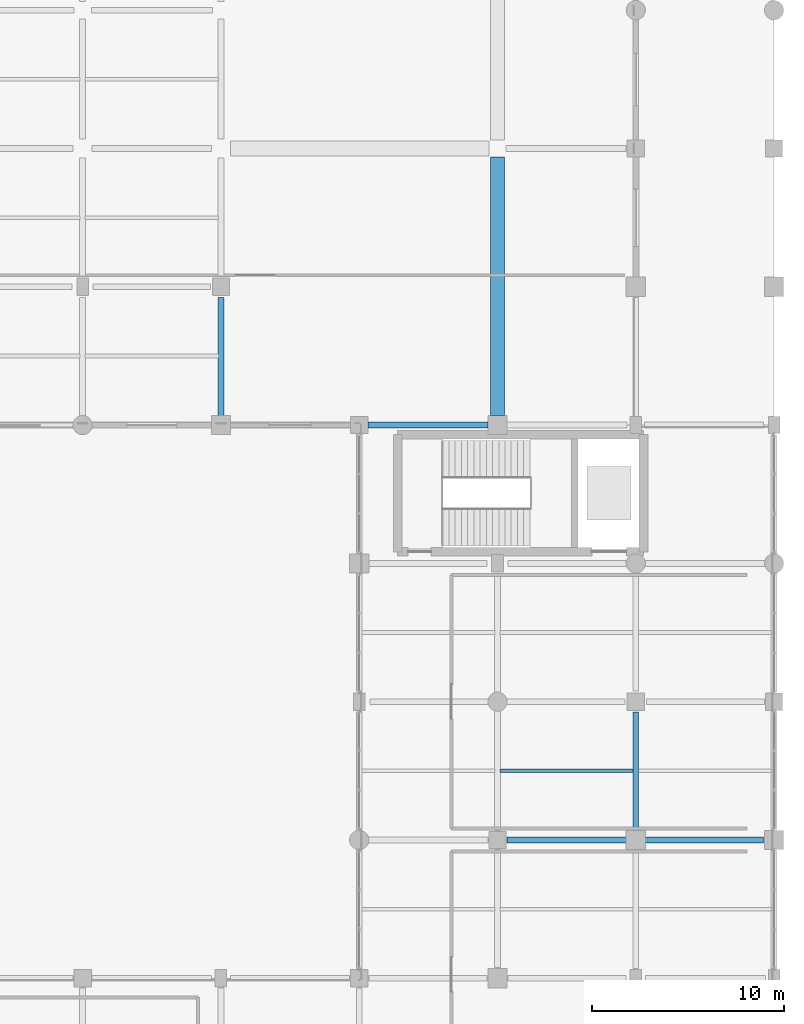
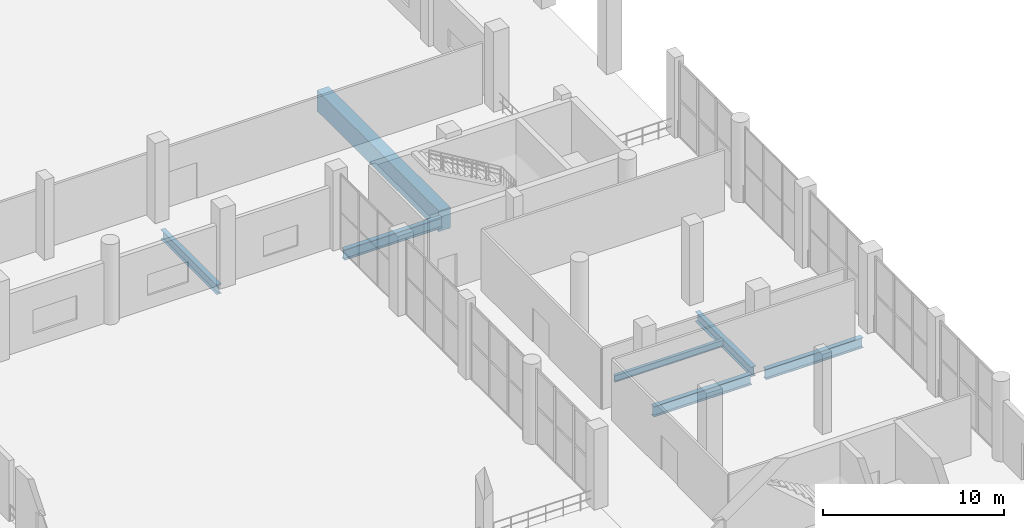
# One storey, part 23 of 58: 7 beams.
"""IFC4 building model written with IfcOpenShell, lengths in metres."""

import ifcopenshell
import ifcopenshell.guid

model = None  # the IFC model being written
_history = None  # IfcOwnerHistory: only IFC2X3 demands one
_inside = {}  # id of a spatial element -> (the spatial element, [elements in it])
_under = {}  # id of a project, library or spatial element -> (it, [spatial elements below it])
_declared = {}  # id of a project -> (the project, [libraries it declares])
_typed = {}  # id of a type object -> (the type object, [elements of that type])
_made_of = {}  # id of a material, layer set ... -> (it, [elements and type objects made of it])


def new_model(schema):
    """Start an empty IFC model of exactly this schema.

    Asked for "IFC4X3", IfcOpenShell would pick the latest addendum, in which some entities
    have other attributes; the version numbers below select the first issue.
    IFC2X3 requires an IfcOwnerHistory on every rooted entity: one is made here for all.
    """
    global model, _history
    if schema == "IFC4X3":
        model = ifcopenshell.file(schema_version=(4, 3, 0, 0))
    else:
        model = ifcopenshell.file(schema=schema)
    _inside.clear()
    _under.clear()
    _declared.clear()
    _typed.clear()
    _made_of.clear()
    _history = None
    if model.schema == "IFC2X3":
        org = make("IfcOrganization", Name="unknown")
        user = make(
            "IfcPersonAndOrganization",
            ThePerson=make("IfcPerson", FamilyName="unknown"),
            TheOrganization=org,
        )
        app = make(
            "IfcApplication",
            ApplicationDeveloper=org,
            Version="unknown",
            ApplicationFullName="unknown",
            ApplicationIdentifier="unknown",
        )
        _history = make(
            "IfcOwnerHistory",
            OwningUser=user,
            OwningApplication=app,
            ChangeAction="ADDED",
            CreationDate=0,
        )
    return model


def make(cls, **values):
    """One entity of the class cls with the attributes given. An attribute that is None is left unset."""
    return model.create_entity(
        cls, **{name: value for name, value in values.items() if value is not None}
    )


def rooted(cls, **values):
    """An entity with a GlobalId (a new one), such as an element, a storey or a relation."""
    return make(cls, GlobalId=ifcopenshell.guid.new(), OwnerHistory=_history, **values)


def si_unit(unit_type, name, prefix=None):
    """IfcSIUnit, for example si_unit("LENGTHUNIT", "METRE", prefix="MILLI")."""
    return make("IfcSIUnit", UnitType=unit_type, Prefix=prefix, Name=name)


def assignment(units):
    """IfcUnitAssignment: the units of a project."""
    return None if units is None else make("IfcUnitAssignment", Units=units)


def point(xyz):
    """IfcCartesianPoint."""
    return None if xyz is None else make("IfcCartesianPoint", Coordinates=xyz)


def direction(xyz):
    """IfcDirection."""
    return None if xyz is None else make("IfcDirection", DirectionRatios=xyz)


def frame(location, z_axis=None, x_axis=None):
    """IfcAxis2Placement3D, a coordinate frame: its origin and axes. An axis left out is left unset."""
    return make(
        "IfcAxis2Placement3D",
        Location=point(location),
        Axis=direction(z_axis),
        RefDirection=direction(x_axis),
    )


def frame_2d(location, x_axis=None):
    """IfcAxis2Placement2D, a coordinate frame in the plane: its origin and x axis."""
    return make(
        "IfcAxis2Placement2D", Location=point(location), RefDirection=direction(x_axis)
    )


def origin():
    """The frame at (0, 0, 0) with its axes left unset."""
    return frame((0.0, 0.0, 0.0))


def origin_2d():
    """The frame at (0, 0) in the plane with its x axis left unset."""
    return frame_2d((0.0, 0.0))


def place(relative_to, where):
    """IfcLocalPlacement: puts the frame where relative to a parent placement (None: the world)."""
    return make(
        "IfcLocalPlacement", PlacementRelTo=relative_to, RelativePlacement=where
    )


def context(
    kind, dimensions, precision=None, world=None, true_north=None, identifier=None
):
    """IfcGeometricRepresentationContext, for example the 3D "Model" context."""
    return make(
        "IfcGeometricRepresentationContext",
        ContextIdentifier=identifier,
        ContextType=kind,
        CoordinateSpaceDimension=dimensions,
        Precision=precision,
        WorldCoordinateSystem=world,
        TrueNorth=true_north,
    )


def subcontext(parent, identifier, kind, view, scale=None):
    """IfcGeometricRepresentationSubContext, for example "Body" below "Model"."""
    return make(
        "IfcGeometricRepresentationSubContext",
        ContextIdentifier=identifier,
        ContextType=kind,
        ParentContext=parent,
        TargetScale=scale,
        TargetView=view,
    )


def project(units=None, contexts=None):
    """IfcProject with its units and contexts."""
    return rooted(
        "IfcProject",
        Name="project",
        RepresentationContexts=contexts,
        UnitsInContext=assignment(units),
    )


def spatial(cls, under=None, at=None, **own):
    """A site, building, storey or space (cls), placed at a placement, below another one or the project."""
    s = rooted(cls, ObjectPlacement=at, **own)
    if under is not None:
        _under.setdefault(under.id(), (under, []))[1].append(s)
    return s


def profile(cls, at=None, kind="AREA", **sizes):
    """A parametric profile (cls). Its sizes go by their IFC names, for example OverallWidth=200.0."""
    return make(cls, ProfileType=kind, Position=at, **sizes)


def rectangle(**sizes):
    """IfcRectangleProfileDef."""
    return profile("IfcRectangleProfileDef", **sizes)


def i_section(**sizes):
    """IfcIShapeProfileDef."""
    return profile("IfcIShapeProfileDef", **sizes)


def extrude(swept, where, along, depth):
    """IfcExtrudedAreaSolid: the profile swept, set in the frame where, extruded along a direction by depth."""
    return make(
        "IfcExtrudedAreaSolid",
        SweptArea=swept,
        Position=where,
        ExtrudedDirection=direction(along),
        Depth=depth,
    )


def shape(context_of_items, identifier, shape_type, items):
    """IfcShapeRepresentation: the items that make up one representation, for example the "Body"."""
    return make(
        "IfcShapeRepresentation",
        ContextOfItems=context_of_items,
        RepresentationIdentifier=identifier,
        RepresentationType=shape_type,
        Items=items,
    )


def material(Name=None, Category=None):
    """IfcMaterial."""
    return make("IfcMaterial", Name=Name, Category=Category)


def material_profile(
    of_material, cross_section, Name=None, Category=None, Priority=None
):
    """IfcMaterialProfile: a cross section and its material."""
    return make(
        "IfcMaterialProfile",
        Name=Name,
        Material=of_material,
        Profile=cross_section,
        Priority=Priority,
        Category=Category,
    )


def profile_set(profiles, Name=None, composite=None):
    """IfcMaterialProfileSet."""
    return make(
        "IfcMaterialProfileSet",
        Name=Name,
        MaterialProfiles=profiles,
        CompositeProfile=composite,
    )


def made_of(thing, what):
    """Note that an element or type object is made of a material, layer set ...; save() writes the relation."""
    if what is not None:
        _made_of.setdefault(what.id(), (what, []))[1].append(thing)
    return thing


def type_object(cls, material=None, **own):
    """A type object (cls), such as IfcWallType, which elements share."""
    return made_of(rooted(cls, **own), material)


def element(
    cls,
    number,
    at=None,
    inside=None,
    cuts=None,
    type_object=None,
    material=None,
    context=None,
    identifier="Body",
    shape_type=None,
    held_by="IfcProductDefinitionShape",
    body=None,
    shapes=None,
    **own,
):
    """One element of the class cls, such as IfcWall. Its Tag is "e" and its number.

    at: its placement. inside: the storey or other place that contains it. cuts: it is an
    opening in that element (IfcRelVoidsElement). A single representation is given by context,
    identifier, shape_type and body (its items); several are given by shapes. held_by: the class
    of the entity that holds the representations. save() writes the other relations.
    """
    e = rooted(cls, Tag="e%d" % number, ObjectPlacement=at, **own)
    if body is not None:
        shapes = [shape(context, identifier, shape_type, body)]
    if shapes is not None:
        e.Representation = make(held_by, Representations=shapes)
    if inside is not None:
        _inside.setdefault(inside.id(), (inside, []))[1].append(e)
    if cuts is not None:
        rooted(
            "IfcRelVoidsElement", RelatingBuildingElement=cuts, RelatedOpeningElement=e
        )
    if type_object is not None:
        _typed.setdefault(type_object.id(), (type_object, []))[1].append(e)
    return made_of(e, material)


def aggregate(whole, parts):
    """IfcRelAggregates: a whole, such as a stair, and the parts it consists of."""
    return rooted("IfcRelAggregates", RelatingObject=whole, RelatedObjects=parts)


def save(model, path):
    """Write the relations noted so far, then the file.

    IfcRelAggregates (storeys below a building ...), IfcRelContainedInSpatialStructure (elements
    in a storey), IfcRelDefinesByType, IfcRelAssociatesMaterial and IfcRelDeclares: one each for
    every whole, place, type object, material and project.
    """
    for whole, parts in _under.values():
        aggregate(whole, parts)
    for where, things in _inside.values():
        rooted(
            "IfcRelContainedInSpatialStructure",
            RelatedElements=things,
            RelatingStructure=where,
        )
    for kind, things in _typed.values():
        rooted("IfcRelDefinesByType", RelatedObjects=things, RelatingType=kind)
    for what, things in _made_of.values():
        rooted("IfcRelAssociatesMaterial", RelatedObjects=things, RelatingMaterial=what)
    for by, libraries in _declared.values():
        rooted("IfcRelDeclares", RelatingContext=by, RelatedDefinitions=libraries)
    model.write(path)


model = new_model("IFC4")

# Units and contexts
model_context = context("Model", 3, precision=1e-05, world=origin(), true_north=direction((0.0, 1.0)))
body_context = subcontext(model_context, "Body", "Model", "MODEL_VIEW")
ifc_project = project(units=[si_unit("LENGTHUNIT", "METRE"), si_unit("AREAUNIT", "SQUARE_METRE"), si_unit("VOLUMEUNIT", "CUBIC_METRE"), si_unit("PLANEANGLEUNIT", "RADIAN"), si_unit("MASSUNIT", "GRAM", prefix="KILO")], contexts=[model_context])

# Site, building, storey
site_placement = place(None, origin())
site = spatial("IfcSite", under=ifc_project, at=site_placement, CompositionType="ELEMENT")
building_placement = place(site_placement, origin())
building = spatial("IfcBuilding", under=site, at=building_placement, Name="Qandorah Velis Arena", CompositionType="ELEMENT")
storey_placement = place(building_placement, origin())
storey = spatial("IfcBuildingStorey", under=building, at=storey_placement, Name="L00", CompositionType="ELEMENT", Elevation=0.0)

# Beams
ifc_material_1 = material(Name="Steel S355", Category="steel")
ifc_material_profile_1 = material_profile(ifc_material_1, i_section(OverallWidth=0.300048828125, OverallDepth=0.64990234375, WebThickness=0.01611328125, FlangeThickness=0.031005859375, FilletRadius=0.027099609375, at=origin_2d()), Name="HEB 650")
ifc_profile_set_1 = profile_set([ifc_material_profile_1], Name="Steel S355")
beam_type_1 = type_object("IfcBeamType", Name="STR-BM-HEB650", PredefinedType="BEAM", material=ifc_profile_set_1)
for number, where, z_axis, x_axis, name in (
    (1, (144.0, 86.85009765625, -0.7451171875), (0.0, 1.0, 0.0), (-1.0, 0.0, 0.0), "Primary floor girder L00 Y-499"),
    (2, (165.60009765625, 65.25, -0.7451171875), (0.0, 1.0, 0.0), (-1.0, 0.0, 0.0), "Primary floor girder L00 Y-518"),
):
    element("IfcBeam", number, at=place(storey_placement, frame(where, z_axis=z_axis, x_axis=x_axis)), inside=storey, type_object=beam_type_1, Name=name, PredefinedType="BEAM", context=body_context, shape_type="SweptSolid", body=[
        extrude(i_section(OverallWidth=0.300048828125, OverallDepth=0.64990234375, WebThickness=0.01611328125, FlangeThickness=0.031005859375, FilletRadius=0.027099609375, at=origin_2d()), origin(), (0.0, 0.0, 1.0), 6.199951171875),
    ])
ifc_material_profile_2 = material_profile(ifc_material_1, i_section(OverallWidth=0.300048828125, OverallDepth=0.699951171875, WebThickness=0.01708984375, FlangeThickness=0.031982421875, FilletRadius=0.027099609375, at=origin_2d()), Name="HEB 700")
ifc_profile_set_2 = profile_set([ifc_material_profile_2], Name="Steel S355")
beam_type_2 = type_object("IfcBeamType", Name="STR-BM-HEB700", PredefinedType="BEAM", material=ifc_profile_set_2)
beam_1_placement = place(storey_placement, frame((158.89990234375, 64.800048828125, -0.77001953125), z_axis=(1.0, 0.0, 0.0), x_axis=(0.0, 1.0, 0.0)))
element("IfcBeam", 3, at=beam_1_placement, inside=storey, type_object=beam_type_2, Name="Primary floor girder L00 X-136", PredefinedType="BEAM", context=body_context, shape_type="SweptSolid", body=[
    extrude(i_section(OverallWidth=0.300048828125, OverallDepth=0.699951171875, WebThickness=0.01708984375, FlangeThickness=0.031982421875, FilletRadius=0.027099609375, at=origin_2d()), origin(), (0.0, 0.0, 1.0), 6.25),
])
beam_2_placement = place(storey_placement, frame((166.050048828125, 64.800048828125, -0.77001953125), z_axis=(1.0, 0.0, 0.0), x_axis=(0.0, 1.0, 0.0)))
element("IfcBeam", 4, at=beam_2_placement, inside=storey, type_object=beam_type_2, Name="Primary floor girder L00 X-137", PredefinedType="BEAM", context=body_context, shape_type="SweptSolid", body=[
    extrude(i_section(OverallWidth=0.300048828125, OverallDepth=0.699951171875, WebThickness=0.01708984375, FlangeThickness=0.031982421875, FilletRadius=0.027099609375, at=origin_2d()), origin(), (0.0, 0.0, 1.0), 6.199951171875),
])
beam_3_placement = place(storey_placement, frame((151.64990234375, 86.39990234375, -0.77001953125), z_axis=(1.0, 0.0, 0.0), x_axis=(0.0, 1.0, 0.0)))
element("IfcBeam", 5, at=beam_3_placement, inside=storey, type_object=beam_type_2, Name="Primary floor girder L00 X-160", PredefinedType="BEAM", context=body_context, shape_type="SweptSolid", body=[
    extrude(i_section(OverallWidth=0.300048828125, OverallDepth=0.699951171875, WebThickness=0.01708984375, FlangeThickness=0.031982421875, FilletRadius=0.027099609375, at=origin_2d()), origin(), (0.0, 0.0, 1.0), 6.25),
])
ifc_material_profile_3 = material_profile(ifc_material_1, i_section(OverallWidth=0.18994140625, OverallDepth=0.449951171875, WebThickness=0.009521484375, FlangeThickness=0.0146484375, FilletRadius=0.02099609375, at=origin_2d()), Name="IPE 450")
ifc_profile_set_3 = profile_set([ifc_material_profile_3], Name="Steel S355")
beam_type_3 = type_object("IfcBeamType", Name="STR-JST-IPE450", PredefinedType="JOIST", material=ifc_profile_set_3)
beam_4_placement = place(storey_placement, frame((158.534912109375, 68.39990234375, -0.64501953125), z_axis=(1.0, 0.0, 0.0), x_axis=(0.0, 1.0, 0.0)))
element("IfcBeam", 6, at=beam_4_placement, inside=storey, type_object=beam_type_3, Name="Secondary floor joist L00-198", PredefinedType="JOIST", context=body_context, shape_type="SweptSolid", body=[
    extrude(i_section(OverallWidth=0.18994140625, OverallDepth=0.449951171875, WebThickness=0.009521484375, FlangeThickness=0.0146484375, FilletRadius=0.02099609375, at=origin_2d()), origin(), (0.0, 0.0, 1.0), 6.93017578125),
])
ifc_material_2 = material(Name="Concrete C40/50", Category="concrete")
ifc_material_profile_4 = material_profile(ifc_material_2, rectangle(XDim=0.75, YDim=1.39990234375, at=origin_2d()), Name="RC TG 750x1400")
ifc_profile_set_4 = profile_set([ifc_material_profile_4], Name="Concrete C40/50")
beam_type_4 = type_object("IfcBeamType", Name="STR-TG-750X1400", PredefinedType="BEAM", material=ifc_profile_set_4)
beam_5_placement = place(storey_placement, frame((158.39990234375, 86.89990234375, -1.1201171875), z_axis=(0.0, 1.0, 0.0), x_axis=(-1.0, 0.0, 0.0)))
element("IfcBeam", 7, at=beam_5_placement, inside=storey, type_object=beam_type_4, Name="Primary floor girder L00 Y-514", PredefinedType="BEAM", context=body_context, shape_type="SweptSolid", body=[
    extrude(rectangle(XDim=0.75, YDim=1.39990234375, at=origin_2d()), origin(), (0.0, 0.0, 1.0), 13.4501953125),
])

save(model, "model.ifc")
